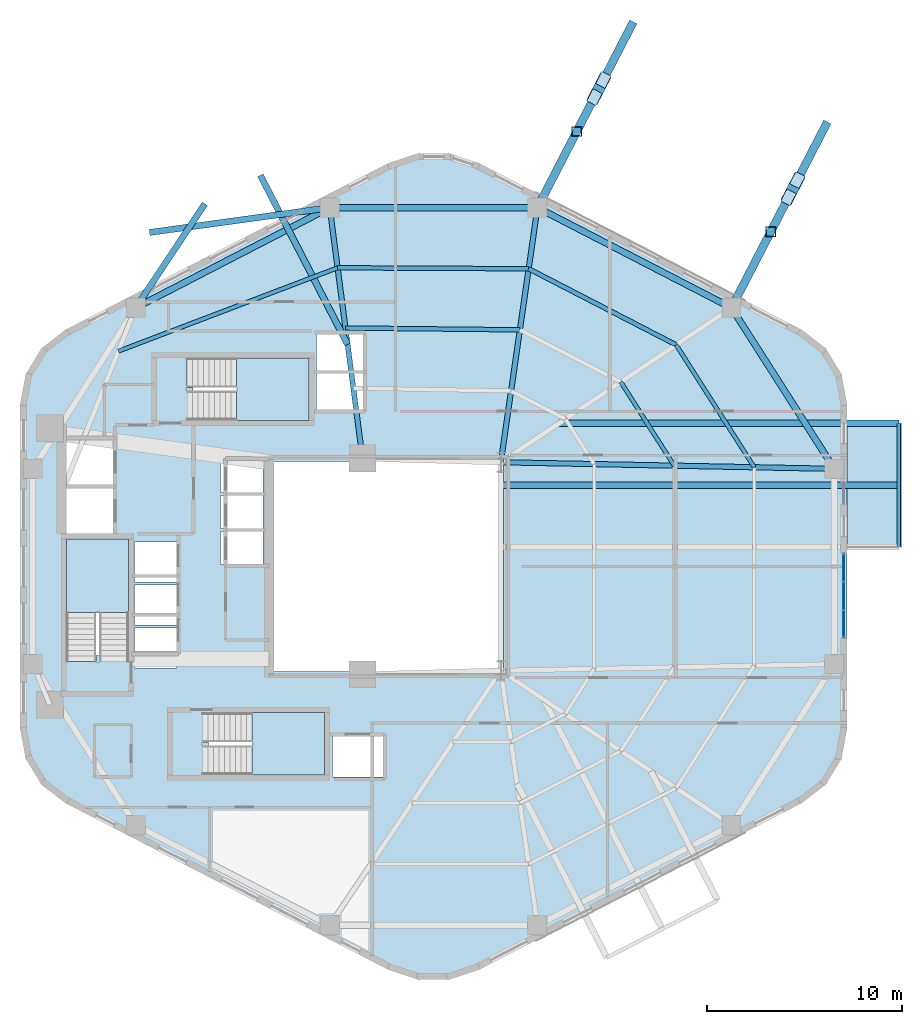
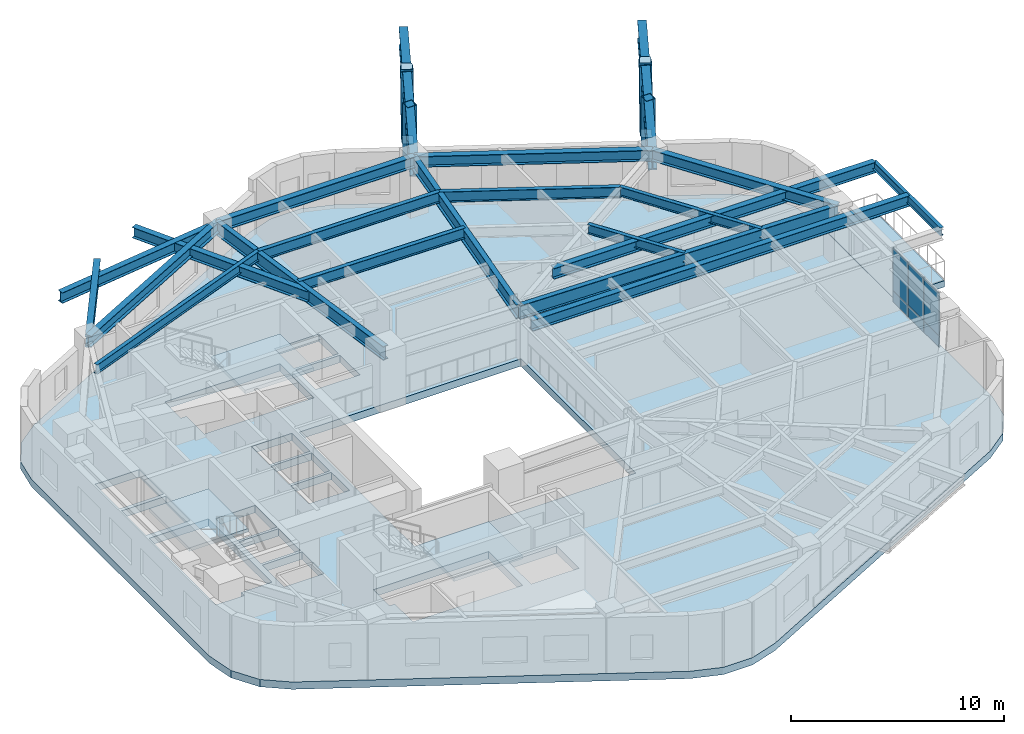
# One storey, part 3 of 9: 21 beams, 10 plates, 5 slabs, 4 members, 4 elements without a shape of their own.
"""IFC4 building model written with IfcOpenShell, lengths in metres."""

from ifc_helpers import new_model, si_unit, direction, frame, origin, origin_2d, place, context, subcontext, project, spatial, polyline, rectangle, hollow_rectangle, i_section, outline, extrude, material, layer, layer_set, material_profile, profile_set, type_object, element, aggregate, save


model = new_model("IFC4")

# Units and contexts
model_context = context("Model", 3, precision=1e-05, world=origin(), true_north=direction((0.0, 1.0)))
body_context = subcontext(model_context, "Body", "Model", "MODEL_VIEW")
ifc_project = project(units=[si_unit("LENGTHUNIT", "METRE"), si_unit("AREAUNIT", "SQUARE_METRE"), si_unit("VOLUMEUNIT", "CUBIC_METRE"), si_unit("PLANEANGLEUNIT", "RADIAN"), si_unit("MASSUNIT", "GRAM", prefix="KILO"), si_unit("THERMODYNAMICTEMPERATUREUNIT", "KELVIN"), si_unit("POWERUNIT", "WATT")], contexts=[model_context])

# Site, building, storey
site_placement = place(None, origin())
site = spatial("IfcSite", under=ifc_project, at=site_placement, CompositionType="ELEMENT")
building_placement = place(site_placement, origin())
building = spatial("IfcBuilding", under=site, at=building_placement, Name="Skarre Station Tower", CompositionType="ELEMENT")
storey_placement = place(building_placement, frame((0.0, 0.0, 101.550048828125)))
storey = spatial("IfcBuildingStorey", under=building, at=storey_placement, Name="L26", CompositionType="ELEMENT", Elevation=101.550048828125)

# Beams
ifc_material_1 = material(Name="Steel ASTM A992 Grade 50", Category="steel")
ifc_material_profile_1 = material_profile(ifc_material_1, i_section(OverallWidth=0.323974609375, OverallDepth=0.611083984375, WebThickness=0.012939453125, FlangeThickness=0.01904296875, at=origin_2d()), Name="Steel ASTM A992 Grade 50")
ifc_profile_set_1 = profile_set([ifc_material_profile_1], Name="Steel ASTM A992 Grade 50")
beam_type_1 = type_object("IfcBeamType", Name="Steel Beam W24X104", PredefinedType="BEAM", material=ifc_profile_set_1)
beam_1_placement = place(storey_placement, frame((39.449951171875, 28.176025390625, 2.780029296875), z_axis=(1.0, 0.0, 0.0), x_axis=(0.0, 1.0, 0.0)))
element("IfcBeam", 1, at=beam_1_placement, inside=storey, type_object=beam_type_1, Name="L26 SG-1-L27 Center Outrigger Beam", PredefinedType="BEAM", context=body_context, shape_type="SweptSolid", body=[
    extrude(i_section(OverallWidth=0.323974609375, OverallDepth=0.611083984375, WebThickness=0.012939453125, FlangeThickness=0.01904296875, at=origin_2d()), origin(), (0.0, 0.0, 1.0), 20.427978515625),
])
beam_2_placement = place(storey_placement, frame((42.43798828125, 31.35009765625, 2.780029296875), z_axis=(1.0, 0.0, 0.0), x_axis=(0.0, 1.0, 0.0)))
element("IfcBeam", 2, at=beam_2_placement, inside=storey, type_object=beam_type_1, Name="L26 SG-1-L27 Outrigger Beam 1", PredefinedType="BEAM", context=body_context, shape_type="SweptSolid", body=[
    extrude(i_section(OverallWidth=0.323974609375, OverallDepth=0.611083984375, WebThickness=0.012939453125, FlangeThickness=0.01904296875, at=origin_2d()), origin(), (0.0, 0.0, 1.0), 17.43994140625),
])
beam_3_placement = place(storey_placement, frame((20.708984375, 37.277099609375, 2.800048828125), z_axis=(0.554374893847, 0.83226707076, 0.0), x_axis=(-0.83226707076, 0.554374893847, 0.0)))
element("IfcBeam", 3, at=beam_3_placement, inside=storey, type_object=beam_type_1, Name="L26 TB-L27-F1 Center Outrigger Beam", PredefinedType="BEAM", context=body_context, shape_type="SweptSolid", body=[
    extrude(i_section(OverallWidth=0.323974609375, OverallDepth=0.611083984375, WebThickness=0.012939453125, FlangeThickness=0.01904296875, at=origin_2d()), origin(), (0.0, 0.0, 1.0), 6.408935546875),
])
beam_4_placement = place(storey_placement, frame((31.5859375, 35.39990234375, 2.800048828125), z_axis=(-0.458674754845, 0.888604225326, 0.0), x_axis=(-0.888604225326, -0.458674754845, 0.0)))
element("IfcBeam", 4, at=beam_4_placement, inside=storey, type_object=beam_type_1, Name="L26 TB-L27-F1 Outrigger Beam 1", PredefinedType="BEAM", context=body_context, shape_type="SweptSolid", body=[
    extrude(i_section(OverallWidth=0.323974609375, OverallDepth=0.611083984375, WebThickness=0.012939453125, FlangeThickness=0.01904296875, at=origin_2d()), origin(), (0.0, 0.0, 1.0), 9.767333984375),
])
beam_5_placement = place(storey_placement, frame((30.6689453125, 42.41796875, 2.800048828125), z_axis=(-0.990635036315, -0.13653653293, 0.0), x_axis=(0.13653653293, -0.990635036315, 0.0)))
element("IfcBeam", 5, at=beam_5_placement, inside=storey, type_object=beam_type_1, Name="L26 TB-L27-F1 Outrigger Beam 2", PredefinedType="BEAM", context=body_context, shape_type="SweptSolid", body=[
    extrude(i_section(OverallWidth=0.323974609375, OverallDepth=0.611083984375, WebThickness=0.012939453125, FlangeThickness=0.01904296875, at=origin_2d()), origin(), (0.0, 0.0, 1.0), 9.33740234375),
])
ifc_material_profile_2 = material_profile(ifc_material_1, i_section(OverallWidth=0.26806640625, OverallDepth=0.77001953125, WebThickness=0.01611328125, FlangeThickness=0.02490234375, at=origin_2d()), Name="Steel ASTM A992 Grade 50")
ifc_profile_set_2 = profile_set([ifc_material_profile_2], Name="Steel ASTM A992 Grade 50")
beam_type_2 = type_object("IfcBeamType", Name="Steel Beam W30X132", PredefinedType="BEAM", material=ifc_profile_set_2)
beam_6_placement = place(storey_placement, frame((39.449951171875, 29.35009765625, 2.804931640625), z_axis=(0.142480121776, 0.989797663616, 0.0), x_axis=(-0.989797663616, 0.142480121776, 0.0)))
element("IfcBeam", 6, at=beam_6_placement, inside=storey, type_object=beam_type_2, Name="L26 Radial Floor Girder F0C2", PredefinedType="BEAM", context=body_context, shape_type="SweptSolid", body=[
    extrude(i_section(OverallWidth=0.26806640625, OverallDepth=0.77001953125, WebThickness=0.01611328125, FlangeThickness=0.02490234375, at=origin_2d()), origin(), (0.0, 0.0, 1.0), 13.20263671875),
])
beam_7_placement = place(storey_placement, frame((32.35009765625, 29.550048828125, 2.804931640625), z_axis=(-0.129545878778, 0.991573429097, 0.0), x_axis=(-0.991573429097, -0.129545878778, 0.0)))
element("IfcBeam", 7, at=beam_7_placement, inside=storey, type_object=beam_type_2, Name="L26 Radial Floor Girder F1C1", PredefinedType="BEAM", context=body_context, shape_type="SweptSolid", body=[
    extrude(i_section(OverallWidth=0.26806640625, OverallDepth=0.77001953125, WebThickness=0.01611328125, FlangeThickness=0.02490234375, at=origin_2d()), origin(), (0.0, 0.0, 1.0), 12.977294921875),
])
beam_8_placement = place(storey_placement, frame((39.449951171875, 29.35009765625, 2.804931640625), z_axis=(0.999803839107, -0.019806143142, 0.0), x_axis=(0.019806143142, 0.999803839107, 0.0)))
element("IfcBeam", 8, at=beam_8_placement, inside=storey, type_object=beam_type_2, Name="L26 Radial Floor Girder F5C2", PredefinedType="BEAM", context=body_context, shape_type="SweptSolid", body=[
    extrude(i_section(OverallWidth=0.26806640625, OverallDepth=0.77001953125, WebThickness=0.01611328125, FlangeThickness=0.02490234375, at=origin_2d()), origin(), (0.0, 0.0, 1.0), 17.12158203125),
])
ifc_material_profile_3 = material_profile(ifc_material_1, i_section(OverallWidth=0.19091796875, OverallDepth=0.45703125, WebThickness=0.009033203125, FlangeThickness=0.013916015625, at=origin_2d()), Name="Steel ASTM A992 Grade 50")
ifc_profile_set_3 = profile_set([ifc_material_profile_3], Name="Steel ASTM A992 Grade 50")
beam_type_3 = type_object("IfcBeamType", Name="Steel Joist W18X50", PredefinedType="JOIST", material=ifc_profile_set_3)
beam_9_placement = place(storey_placement, frame((59.8779296875, 31.35009765625, 2.85693359375), z_axis=(0.0, -1.0, 0.0), x_axis=(1.0, 0.0, 0.0)))
element("IfcBeam", 9, at=beam_9_placement, inside=storey, type_object=beam_type_3, Name="L26 SG-1-L27 Rim Beam", PredefinedType="JOIST", context=body_context, shape_type="SweptSolid", body=[
    extrude(i_section(OverallWidth=0.19091796875, OverallDepth=0.45703125, WebThickness=0.009033203125, FlangeThickness=0.013916015625, at=origin_2d()), origin(), (0.0, 0.0, 1.0), 6.34814453125),
])
ifc_material_profile_4 = material_profile(ifc_material_1, i_section(OverallWidth=0.208984375, OverallDepth=0.532958984375, WebThickness=0.010009765625, FlangeThickness=0.01611328125, at=origin_2d()), Name="Steel ASTM A992 Grade 50")
ifc_profile_set_4 = profile_set([ifc_material_profile_4], Name="Steel ASTM A992 Grade 50")
beam_type_4 = type_object("IfcBeamType", Name="Steel Joist W21X62", PredefinedType="JOIST", material=ifc_profile_set_4)
beam_10_placement = place(storey_placement, frame((31.072021484375, 39.330078125, 2.924072265625), z_axis=(-0.934681982826, -0.355485008094, 0.0), x_axis=(0.355485008094, -0.934681982826, 0.0)))
element("IfcBeam", 10, at=beam_10_placement, inside=storey, type_object=beam_type_4, Name="L26 Auxiliary Composite Joist 9", PredefinedType="JOIST", context=body_context, shape_type="SweptSolid", body=[
    extrude(i_section(OverallWidth=0.208984375, OverallDepth=0.532958984375, WebThickness=0.010009765625, FlangeThickness=0.01611328125, at=origin_2d()), origin(), (0.0, 0.0, 1.0), 12.037109375),
])
beam_11_placement = place(storey_placement, frame((48.35107421875, 29.174072265625, 2.924072265625), z_axis=(-0.538151254938, 0.842848282201, 0.0), x_axis=(-0.842848282201, -0.538151254938, 0.0)))
element("IfcBeam", 11, at=beam_11_placement, inside=storey, type_object=beam_type_4, Name="L26 Auxiliary Composite Joist 23", PredefinedType="JOIST", context=body_context, shape_type="SweptSolid", body=[
    extrude(i_section(OverallWidth=0.208984375, OverallDepth=0.532958984375, WebThickness=0.010009765625, FlangeThickness=0.01611328125, at=origin_2d()), origin(), (0.0, 0.0, 1.0), 5.09912109375),
])
beam_12_placement = place(storey_placement, frame((52.4599609375, 29.092041015625, 2.924072265625), z_axis=(-0.53809140179, 0.842886494921, 0.0), x_axis=(-0.842886494921, -0.53809140179, 0.0)))
element("IfcBeam", 12, at=beam_12_placement, inside=storey, type_object=beam_type_4, Name="L26 Auxiliary Composite Joist 24", PredefinedType="JOIST", context=body_context, shape_type="SweptSolid", body=[
    extrude(i_section(OverallWidth=0.208984375, OverallDepth=0.532958984375, WebThickness=0.010009765625, FlangeThickness=0.01611328125, at=origin_2d()), origin(), (0.0, 0.0, 1.0), 7.4541015625),
])
ifc_material_profile_5 = material_profile(ifc_material_1, i_section(OverallWidth=0.22802734375, OverallDepth=0.60791015625, WebThickness=0.010986328125, FlangeThickness=0.01708984375, at=origin_2d()), Name="Steel ASTM A992 Grade 50")
ifc_profile_set_5 = profile_set([ifc_material_profile_5], Name="Steel ASTM A992 Grade 50")
beam_type_5 = type_object("IfcBeamType", Name="Steel Joist W24X76", PredefinedType="JOIST", material=ifc_profile_set_5)
beam_13_placement = place(storey_placement, frame((48.448974609375, 35.375, 2.885986328125), z_axis=(-0.888603699553, 0.45867577344, 0.0), x_axis=(-0.45867577344, -0.888603699553, 0.0)))
element("IfcBeam", 13, at=beam_13_placement, inside=storey, type_object=beam_type_5, Name="L26 Secondary Floor Joist 3", PredefinedType="JOIST", context=body_context, shape_type="SweptSolid", body=[
    extrude(i_section(OverallWidth=0.22802734375, OverallDepth=0.60791015625, WebThickness=0.010986328125, FlangeThickness=0.01708984375, at=origin_2d()), origin(), (0.0, 0.0, 1.0), 8.51806640625),
])
beam_14_placement = place(storey_placement, frame((40.427978515625, 36.14501953125, 2.885986328125), z_axis=(-0.999942566282, 0.010717468802, 0.0), x_axis=(-0.010717468802, -0.999942566282, 0.0)))
element("IfcBeam", 14, at=beam_14_placement, inside=storey, type_object=beam_type_5, Name="L26 Secondary Floor Joist 5", PredefinedType="JOIST", context=body_context, shape_type="SweptSolid", body=[
    extrude(i_section(OverallWidth=0.22802734375, OverallDepth=0.60791015625, WebThickness=0.010986328125, FlangeThickness=0.01708984375, at=origin_2d()), origin(), (0.0, 0.0, 1.0), 8.952392578125),
])
beam_15_placement = place(storey_placement, frame((40.8798828125, 39.281982421875, 2.885986328125), z_axis=(-0.999987976633, 0.004903732143, 0.0), x_axis=(-0.004903732143, -0.999987976633, 0.0)))
element("IfcBeam", 15, at=beam_15_placement, inside=storey, type_object=beam_type_5, Name="L26 Secondary Floor Joist 6", PredefinedType="JOIST", context=body_context, shape_type="SweptSolid", body=[
    extrude(i_section(OverallWidth=0.22802734375, OverallDepth=0.60791015625, WebThickness=0.010986328125, FlangeThickness=0.01708984375, at=origin_2d()), origin(), (0.0, 0.0, 1.0), 9.807861328125),
])
ifc_material_profile_6 = material_profile(ifc_material_1, i_section(OverallWidth=0.327880859375, OverallDepth=0.6279296875, WebThickness=0.01708984375, FlangeThickness=0.028076171875, at=origin_2d()), Name="Steel ASTM A992 Grade 50")
ifc_profile_set_6 = profile_set([ifc_material_profile_6], Name="Steel ASTM A992 Grade 50")
beam_type_6 = type_object("IfcBeamType", Name="Steel Spandrel W24X146", PredefinedType="SPANDREL", material=ifc_profile_set_6)
beam_16_placement = place(storey_placement, frame((51.291015625, 37.277099609375, 2.8759765625), z_axis=(-0.888611779493, 0.458660119639, 0.0), x_axis=(-0.458660119639, -0.888611779493, 0.0)))
element("IfcBeam", 16, at=beam_16_placement, inside=storey, type_object=beam_type_6, Name="L26 Facet Spandrel Beam 1", PredefinedType="SPANDREL", context=body_context, shape_type="SweptSolid", body=[
    extrude(i_section(OverallWidth=0.327880859375, OverallDepth=0.6279296875, WebThickness=0.01708984375, FlangeThickness=0.028076171875, at=origin_2d()), origin(), (0.0, 0.0, 1.0), 11.20849609375),
])
beam_17_placement = place(storey_placement, frame((41.3310546875, 42.41796875, 2.8759765625), z_axis=(-1.0, 0.0, 0.0), x_axis=(0.0, -1.0, 0.0)))
element("IfcBeam", 17, at=beam_17_placement, inside=storey, type_object=beam_type_6, Name="L26 Facet Spandrel Beam 2", PredefinedType="SPANDREL", context=body_context, shape_type="SweptSolid", body=[
    extrude(i_section(OverallWidth=0.327880859375, OverallDepth=0.6279296875, WebThickness=0.01708984375, FlangeThickness=0.028076171875, at=origin_2d()), origin(), (0.0, 0.0, 1.0), 10.662109375),
])
beam_18_placement = place(storey_placement, frame((30.6689453125, 42.41796875, 2.8759765625), z_axis=(-0.888611779493, -0.458660119639, 0.0), x_axis=(0.458660119639, -0.888611779493, 0.0)))
element("IfcBeam", 18, at=beam_18_placement, inside=storey, type_object=beam_type_6, Name="L26 Facet Spandrel Beam 3", PredefinedType="SPANDREL", context=body_context, shape_type="SweptSolid", body=[
    extrude(i_section(OverallWidth=0.327880859375, OverallDepth=0.6279296875, WebThickness=0.01708984375, FlangeThickness=0.028076171875, at=origin_2d()), origin(), (0.0, 0.0, 1.0), 11.20849609375),
])
beam_19_placement = place(storey_placement, frame((56.568115234375, 29.010986328125, 2.8759765625), z_axis=(-0.538097547923, 0.842882571251, 0.0), x_axis=(-0.842882571251, -0.538097547923, 0.0)))
element("IfcBeam", 19, at=beam_19_placement, inside=storey, type_object=beam_type_6, Name="L26 Facet Spandrel Beam 12", PredefinedType="SPANDREL", context=body_context, shape_type="SweptSolid", body=[
    extrude(i_section(OverallWidth=0.327880859375, OverallDepth=0.6279296875, WebThickness=0.01708984375, FlangeThickness=0.028076171875, at=origin_2d()), origin(), (0.0, 0.0, 1.0), 9.806884765625),
])
ifc_material_2 = material(Name="Steel ASTM A913 Grade 65", Category="steel")
ifc_material_profile_7 = material_profile(ifc_material_2, i_section(OverallWidth=0.424072265625, OverallDepth=1.092041015625, WebThickness=0.044921875, FlangeThickness=0.08203125, at=origin_2d()), Name="Steel ASTM A913 Grade 65")
ifc_profile_set_7 = profile_set([ifc_material_profile_7], Name="Steel ASTM A913 Grade 65")
beam_type_7 = type_object("IfcBeamType", Name="Steel Transfer Girder W40X593", PredefinedType="USERDEFINED", material=ifc_profile_set_7)
for number, where, z_axis, x_axis, name in (
    (20, (51.291015625, 37.277099609375, 2.48388671875), (0.458617417831, 0.888633818883, 0.0), (-0.888633818883, 0.458617417831, 0.0), "L26 SB-2 Exoskeleton Tier-2 Transfer Girder S1"),
    (21, (41.3310546875, 42.41796875, 2.48388671875), (0.458617417831, 0.888633818883, 0.0), (-0.888633818883, 0.458617417831, 0.0), "L26 SB-2 Exoskeleton Tier-2 Transfer Girder S2"),
):
    element("IfcBeam", number, at=place(storey_placement, frame(where, z_axis=z_axis, x_axis=x_axis)), inside=storey, type_object=beam_type_7, Name=name, ObjectType="TRANSFER_GIRDER", PredefinedType="USERDEFINED", context=body_context, shape_type="SweptSolid", body=[
        extrude(i_section(OverallWidth=0.424072265625, OverallDepth=1.092041015625, WebThickness=0.044921875, FlangeThickness=0.08203125, at=origin_2d()), origin(), (0.0, 0.0, 1.0), 10.729736328125),
    ])

# Members
ifc_material_3 = material(Name="Steel ASTM A501 Grade B", Category="steel")
ifc_material_profile_8 = material_profile(ifc_material_3, hollow_rectangle(XDim=0.5, YDim=0.5, WallThickness=0.02490234375, at=origin_2d()), Name="Steel ASTM A501 Grade B")
ifc_profile_set_8 = profile_set([ifc_material_profile_8], Name="Steel ASTM A501 Grade B")
member_type_1 = type_object("IfcMemberType", Name="Steel Truss Strut HSS500X500X25", PredefinedType="STRUT", material=ifc_profile_set_8)
for number, where, z_axis, x_axis, name in (
    (22, (53.30908203125, 41.18701171875, -0.43994140625), (0.0, 0.0, 1.0), (1.0, 0.0, 0.0), "L26 SB-2 Exoskeleton Post Tier 2 S1"),
    (23, (43.34912109375, 46.327880859375, -0.43994140625), (0.0, 0.0, 1.0), (1.0, 0.0, 0.0), "L26 SB-2 Exoskeleton Post Tier 2 S2"),
):
    element("IfcMember", number, at=place(storey_placement, frame(where, z_axis=z_axis, x_axis=x_axis)), inside=storey, type_object=member_type_1, Name=name, PredefinedType="STRUT", context=body_context, shape_type="SweptSolid", body=[
        extrude(hollow_rectangle(XDim=0.5, YDim=0.5, WallThickness=0.02490234375, at=origin_2d()), origin(), (0.0, 0.0, 1.0), 3.469970703125),
    ])
ifc_material_profile_9 = material_profile(ifc_material_3, hollow_rectangle(XDim=0.60009765625, YDim=0.60009765625, WallThickness=0.028076171875, at=origin_2d()), Name="Steel ASTM A501 Grade B")
ifc_profile_set_9 = profile_set([ifc_material_profile_9], Name="Steel ASTM A501 Grade B")
member_type_2 = type_object("IfcMemberType", Name="Steel Truss Strut HSS600X600X28", PredefinedType="STRUT", material=ifc_profile_set_9)
for number, where, z_axis, x_axis, name in (
    (24, (54.217041015625, 42.946044921875, -0.43994140625), (0.127096486621, 0.246148036057, 0.960862959757), (-0.888543643112, 0.458792103557, 0.0), "L26 SB-2 Exoskeleton Raking Strut Tier 2 S1"),
    (25, (44.257080078125, 48.0869140625, -0.43994140625), (0.127094371407, 0.246211542906, 0.960846968511), (-0.888594994089, 0.458692638354, 0.0), "L26 SB-2 Exoskeleton Raking Strut Tier 2 S2"),
):
    element("IfcMember", number, at=place(storey_placement, frame(where, z_axis=z_axis, x_axis=x_axis)), inside=storey, type_object=member_type_2, Name=name, PredefinedType="STRUT", context=body_context, shape_type="SweptSolid", body=[
        extrude(hollow_rectangle(XDim=0.60009765625, YDim=0.60009765625, WallThickness=0.028076171875, at=origin_2d()), origin(), (0.0, 0.0, 1.0), 3.611328125),
    ])

# Curtain wall, plates
ifc_material_4 = material(Name="Thermally Broken Bronze-Anodized Aluminium & Triple Low-E Glass", Category="aluminium")
ifc_layer_1 = layer(ifc_material_4, 0.18994140625, Name="Thermally Broken Bronze-Anodized Aluminium & Triple Low-E Glass")
ifc_layer_set_1 = layer_set([ifc_layer_1], Name="Thermally Broken Bronze-Anodized Aluminium & Triple Low-E Glass")
curtain_wall_type = type_object("IfcCurtainWallType", Name="Sky-Garden Setback Conservatory Curtain Wall", PredefinedType="NOTDEFINED", material=ifc_layer_set_1)
curtain_wall_placement = place(storey_placement, origin())
curtain_wall = element("IfcCurtainWall", 26, at=curtain_wall_placement, inside=storey, type_object=curtain_wall_type, Name="L26 Facet 5 Conservatory Curtain Wall", PredefinedType="NOTDEFINED")
ifc_material_5 = material(Name="Insulated Bronze Anodized Aluminium Spandrel", Category="aluminium")
ifc_layer_2 = layer(ifc_material_5, 0.052001953125, Name="Insulated Bronze Anodized Aluminium Spandrel")
ifc_layer_set_2 = layer_set([ifc_layer_2], Name="Insulated Bronze Anodized Aluminium Spandrel")
plate_type_1 = type_object("IfcPlateType", Name="Bronze Insulated Spandrel Sheet Panel 52", PredefinedType="SHEET", material=ifc_layer_set_2)
plate_1_placement = place(storey_placement, frame((57.048095703125, 23.944091796875, 0.0517578125), z_axis=(0.0, 0.0, 1.0), x_axis=(0.0, -1.0, 0.0)))
plate_1 = element("IfcPlate", 27, at=plate_1_placement, type_object=plate_type_1, Name="L26 Facet 5 Conservatory Curtain Wall Spandrel Panel 1-1", PredefinedType="SHEET", context=body_context, shape_type="SweptSolid", body=[
    extrude(rectangle(XDim=1.424072265625, YDim=0.052001953125, at=origin_2d()), origin(), (0.0, 0.0, 1.0), 0.635986328125),
])
plate_2_placement = place(storey_placement, frame((57.048095703125, 22.49609375, 0.0517578125), z_axis=(0.0, 0.0, 1.0), x_axis=(0.0, -1.0, 0.0)))
plate_2 = element("IfcPlate", 28, at=plate_2_placement, type_object=plate_type_1, Name="L26 Facet 5 Conservatory Curtain Wall Spandrel Panel 2-1", PredefinedType="SHEET", context=body_context, shape_type="SweptSolid", body=[
    extrude(rectangle(XDim=1.424072265625, YDim=0.052001953125, at=origin_2d()), origin(), (0.0, 0.0, 1.0), 0.635986328125),
])
plate_3_placement = place(storey_placement, frame((57.048095703125, 21.049072265625, 0.0517578125), z_axis=(0.0, 0.0, 1.0), x_axis=(0.0, -1.0, 0.0)))
plate_3 = element("IfcPlate", 29, at=plate_3_placement, type_object=plate_type_1, Name="L26 Facet 5 Conservatory Curtain Wall Spandrel Panel 3-1", PredefinedType="SHEET", context=body_context, shape_type="SweptSolid", body=[
    extrude(rectangle(XDim=1.424072265625, YDim=0.052001953125, at=origin_2d()), origin(), (0.0, 0.0, 1.0), 0.635986328125),
])

# Plates
ifc_material_6 = material(Name="Steel ASTM A572 Grade 50", Category="steel")
ifc_layer_3 = layer(ifc_material_6, 0.031982421875, Name="Steel ASTM A572 Grade 50")
ifc_layer_set_3 = layer_set([ifc_layer_3], Name="Steel ASTM A572 Grade 50")
plate_type_2 = type_object("IfcPlateType", Name="Exoskeleton Strut Cap Plate 700x540x32", PredefinedType="USERDEFINED", material=ifc_layer_set_3)
for number, where, z_axis, x_axis, name in (
    (30, (54.217041015625, 42.946044921875, -0.44580078125), (0.0, 0.0, 1.0), (0.458649554484, 0.888617232655, 0.0), "L26 SB-2 Exoskeleton Tier-2 Base Gusset S1"),
    (31, (54.676025390625, 43.8349609375, 3.00390625), (0.0, 0.0, 1.0), (0.458649554484, 0.888617232655, 0.0), "L26 SB-2 Exoskeleton Tier-2 Head Gusset S1"),
    (32, (44.257080078125, 48.0869140625, -0.44580078125), (0.0, 0.0, 1.0), (0.458649554484, 0.888617232655, 0.0), "L26 SB-2 Exoskeleton Tier-2 Base Gusset S2"),
    (33, (44.716064453125, 48.97607421875, 3.00390625), (0.0, 0.0, 1.0), (0.458649554484, 0.888617232655, 0.0), "L26 SB-2 Exoskeleton Tier-2 Head Gusset S2"),
):
    element("IfcPlate", number, at=place(storey_placement, frame(where, z_axis=z_axis, x_axis=x_axis)), inside=storey, type_object=plate_type_2, Name=name, ObjectType="STIFFENER_PLATE", PredefinedType="USERDEFINED", context=body_context, shape_type="SweptSolid", body=[
        extrude(rectangle(XDim=0.699951171875, YDim=0.5400390625, at=origin_2d()), origin(), (0.0, 0.0, 1.0), 0.031982421875),
    ])

# Stair, slab
ifc_material_7 = material(Name="Concrete C40/50", Category="concrete")
stair_type_1 = type_object("IfcStairType", Name="Reinforced Concrete Exit Stair ST-1", PredefinedType="HALF_TURN_STAIR", material=ifc_material_7)
stair_1_placement = place(storey_placement, origin())
stair_1 = element("IfcStair", 34, at=stair_1_placement, inside=storey, type_object=stair_type_1, Name="L26 Core Exit Stair ST-1", PredefinedType="HALF_TURN_STAIR")
ifc_layer_4 = layer(ifc_material_7, 0.219970703125, Name="Concrete C40/50")
ifc_layer_set_4 = layer_set([ifc_layer_4], Name="Concrete C40/50")
slab_type_1 = type_object("IfcSlabType", Name="Reinforced Concrete Stair & Ramp Landing 220", PredefinedType="LANDING", material=ifc_layer_set_4)
slab_1_placement = place(storey_placement, frame((0.0, 0.0, 1.52490234375)))
slab_1 = element("IfcSlab", 35, at=slab_1_placement, type_object=slab_type_1, Name="ST-1 landing 1", PredefinedType="LANDING", context=body_context, shape_type="SweptSolid", body=[
    extrude(outline(polyline([(20.35009765625, 21.639892578125), (20.35009765625, 25.39990234375), (17.14990234375, 25.39990234375), (17.14990234375, 21.639892578125), (20.35009765625, 21.639892578125)])), origin(), (0.0, 0.0, 1.0), 0.199951171875),
])
aggregate(stair_1, [slab_1])

stair_type_2 = type_object("IfcStairType", Name="Reinforced Concrete Exit Stair ST-2", PredefinedType="HALF_TURN_STAIR", material=ifc_material_7)
stair_2_placement = place(storey_placement, origin())
stair_2 = element("IfcStair", 36, at=stair_2_placement, inside=storey, type_object=stair_type_2, Name="L26 Core Exit Stair ST-2", PredefinedType="HALF_TURN_STAIR")
slab_2_placement = place(storey_placement, frame((0.0, 0.0, 1.52490234375)))
slab_2 = element("IfcSlab", 37, at=slab_2_placement, type_object=slab_type_1, Name="ST-2 landing 1", PredefinedType="LANDING", context=body_context, shape_type="SweptSolid", body=[
    extrude(outline(polyline([(26.669921875, 13.300048828125), (30.39990234375, 13.300048828125), (30.39990234375, 16.5), (26.669921875, 16.5), (26.669921875, 13.300048828125)])), origin(), (0.0, 0.0, 1.0), 0.199951171875),
])
aggregate(stair_2, [slab_2])

stair_type_3 = type_object("IfcStairType", Name="Reinforced Concrete Exit Stair ST-3", PredefinedType="HALF_TURN_STAIR", material=ifc_material_7)
stair_3_placement = place(storey_placement, origin())
stair_3 = element("IfcStair", 38, at=stair_3_placement, inside=storey, type_object=stair_type_3, Name="L26 Core Exit Stair ST-3", PredefinedType="HALF_TURN_STAIR")
slab_3_placement = place(storey_placement, frame((0.0, 0.0, 1.52490234375)))
slab_3 = element("IfcSlab", 39, at=slab_3_placement, type_object=slab_type_1, Name="ST-3 landing 1", PredefinedType="LANDING", context=body_context, shape_type="SweptSolid", body=[
    extrude(outline(polyline([(25.8701171875, 31.5), (29.60009765625, 31.5), (29.60009765625, 34.699951171875), (25.8701171875, 34.699951171875), (25.8701171875, 31.5)])), origin(), (0.0, 0.0, 1.0), 0.199951171875),
])
aggregate(stair_3, [slab_3])

# Slabs
ifc_material_8 = material(Name="Concrete C50/60", Category="concrete")
ifc_layer_5 = layer(ifc_material_8, 0.419921875, Name="Concrete C50/60")
ifc_layer_set_5 = layer_set([ifc_layer_5], Name="Concrete C50/60")
slab_type_2 = type_object("IfcSlabType", Name="Sky-Garden & Lookout Terrace Slab 360", PredefinedType="FLOOR", material=ifc_layer_set_5)
slab_4_placement = place(storey_placement, frame((0.0, 0.0, -0.360107421875)))
element("IfcSlab", 40, at=slab_4_placement, inside=storey, type_object=slab_type_2, Name="L26 SG-1 Planted Sky-Garden Terrace Slab", PredefinedType="FLOOR", context=body_context, shape_type="SweptSolid", body=[
    extrude(outline(polyline([(57.22802734375, 31.35009765625), (57.22802734375, 25.001953125), (60.01806640625, 25.001953125), (60.01806640625, 31.35009765625), (57.22802734375, 31.35009765625)])), origin(), (0.0, 0.0, 1.0), 0.360107421875),
])
ifc_layer_6 = layer(ifc_material_8, 0.419921875, Name="Concrete C50/60")
ifc_layer_set_6 = layer_set([ifc_layer_6], Name="Concrete C50/60")
slab_type_3 = type_object("IfcSlabType", Name="Transfer & Concourse Floor Slab 360", PredefinedType="FLOOR", material=ifc_layer_set_6)
slab_5_placement = place(storey_placement, frame((0.0, 0.0, -0.420166015625)))
element("IfcSlab", 41, at=slab_5_placement, inside=storey, type_object=slab_type_3, Name="L26 Zone 2 Structural Floor Slab", PredefinedType="FLOOR", context=body_context, shape_type="SweptSolid", body=[
    extrude(outline(polyline([(57.218017578125, 32.35205078125), (56.93701171875, 33.873046875), (56.132080078125, 35.194091796875), (54.908935546875, 36.14111328125), (38.30908203125, 44.708984375), (36.7958984375, 45.2060546875), (35.2041015625, 45.2060546875), (33.69091796875, 44.708984375), (17.091064453125, 36.14111328125), (15.867919921875, 35.194091796875), (15.06298828125, 33.873046875), (14.781982421875, 32.35205078125), (14.781982421875, 15.64794921875), (15.06298828125, 14.126953125), (15.867919921875, 12.805908203125), (17.091064453125, 11.85888671875), (33.69091796875, 3.291015625), (35.2041015625, 2.7939453125), (36.7958984375, 2.7939453125), (38.30908203125, 3.291015625), (54.908935546875, 11.85888671875), (56.132080078125, 12.805908203125), (56.93701171875, 14.126953125), (57.218017578125, 15.64794921875), (57.218017578125, 32.35205078125)]), holes=[polyline([(18.669921875, 19.419921875), (18.669921875, 19.123046875), (17.14990234375, 19.123046875), (17.14990234375, 25.39990234375), (20.35009765625, 25.39990234375), (20.35009765625, 19.419921875), (18.669921875, 19.419921875)]), polyline([(24.449951171875, 14.97998046875), (24.153076171875, 14.97998046875), (24.153076171875, 16.5), (30.39990234375, 16.5), (30.39990234375, 13.300048828125), (24.449951171875, 13.300048828125), (24.449951171875, 14.97998046875)]), polyline([(23.64990234375, 33.179931640625), (23.35302734375, 33.179931640625), (23.35302734375, 34.699951171875), (29.60009765625, 34.699951171875), (29.60009765625, 31.5), (23.64990234375, 31.5), (23.64990234375, 33.179931640625)]), polyline([(17.14990234375, 28.0), (19.550048828125, 28.0), (19.550048828125, 25.699951171875), (17.14990234375, 25.699951171875), (17.14990234375, 28.0)]), polyline([(17.14990234375, 30.5), (19.550048828125, 30.5), (19.550048828125, 28.199951171875), (17.14990234375, 28.199951171875), (17.14990234375, 30.5)]), polyline([(30.800048828125, 15.300048828125), (33.39990234375, 15.300048828125), (33.39990234375, 13.199951171875), (30.800048828125, 13.199951171875), (30.800048828125, 15.300048828125)]), polyline([(25.050048828125, 25.800048828125), (27.25, 25.800048828125), (27.25, 24.10009765625), (25.050048828125, 24.10009765625), (25.050048828125, 25.800048828125)]), polyline([(25.050048828125, 27.64990234375), (27.25, 27.64990234375), (27.25, 25.949951171875), (25.050048828125, 25.949951171875), (25.050048828125, 27.64990234375)]), polyline([(25.050048828125, 29.5), (27.25, 29.5), (27.25, 27.800048828125), (25.050048828125, 27.800048828125), (25.050048828125, 29.5)]), polyline([(20.64990234375, 20.85009765625), (22.800048828125, 20.85009765625), (22.800048828125, 18.800048828125), (20.64990234375, 18.800048828125), (20.64990234375, 20.85009765625)]), polyline([(20.64990234375, 23.050048828125), (22.800048828125, 23.050048828125), (22.800048828125, 21.0), (20.64990234375, 21.0), (20.64990234375, 23.050048828125)]), polyline([(20.64990234375, 25.25), (22.800048828125, 25.25), (22.800048828125, 23.199951171875), (20.64990234375, 23.199951171875), (20.64990234375, 25.25)]), polyline([(30.0, 33.89990234375), (32.39990234375, 33.89990234375), (32.39990234375, 32.050048828125), (30.0, 32.050048828125), (30.0, 33.89990234375)]), polyline([(30.0, 35.89990234375), (32.39990234375, 35.89990234375), (32.39990234375, 34.050048828125), (30.0, 34.050048828125), (30.0, 35.89990234375)]), polyline([(27.60009765625, 29.39990234375), (39.60009765625, 29.39990234375), (39.60009765625, 18.60009765625), (27.60009765625, 18.60009765625), (27.60009765625, 29.39990234375)])]), origin(), (0.0, 0.0, 1.0), 0.420166015625),
])

# Plate
ifc_material_9 = material(Name="Low-Iron Triple Insulating Glass Unit", Category="glass")
ifc_layer_7 = layer(ifc_material_9, 0.0439453125, Name="Low-Iron Triple Insulating Glass Unit")
ifc_layer_set_7 = layer_set([ifc_layer_7], Name="Low-Iron Triple Insulating Glass Unit")
plate_type_3 = type_object("IfcPlateType", Name="Triple-Glazed Vision Curtain Panel 44", PredefinedType="CURTAIN_PANEL", material=ifc_layer_set_7)
plate_4_placement = place(storey_placement, frame((57.048095703125, 23.944091796875, 0.7119140625), z_axis=(0.0, 0.0, 1.0), x_axis=(0.0, -1.0, 0.0)))
plate_4 = element("IfcPlate", 42, at=plate_4_placement, type_object=plate_type_3, Name="L26 Facet 5 Conservatory Curtain Wall Vision Panel 1-2", PredefinedType="CURTAIN_PANEL", context=body_context, shape_type="SweptSolid", body=[
    extrude(rectangle(XDim=1.424072265625, YDim=0.0439453125, at=origin_2d()), origin(), (0.0, 0.0, 1.0), 2.426025390625),
])

plate_5_placement = place(storey_placement, frame((57.048095703125, 22.49609375, 0.7119140625), z_axis=(0.0, 0.0, 1.0), x_axis=(0.0, -1.0, 0.0)))
plate_5 = element("IfcPlate", 43, at=plate_5_placement, type_object=plate_type_3, Name="L26 Facet 5 Conservatory Curtain Wall Vision Panel 2-2", PredefinedType="CURTAIN_PANEL", context=body_context, shape_type="SweptSolid", body=[
    extrude(rectangle(XDim=1.424072265625, YDim=0.0439453125, at=origin_2d()), origin(), (0.0, 0.0, 1.0), 2.426025390625),
])

plate_6_placement = place(storey_placement, frame((57.048095703125, 21.049072265625, 0.7119140625), z_axis=(0.0, 0.0, 1.0), x_axis=(0.0, -1.0, 0.0)))
plate_6 = element("IfcPlate", 44, at=plate_6_placement, type_object=plate_type_3, Name="L26 Facet 5 Conservatory Curtain Wall Vision Panel 3-2", PredefinedType="CURTAIN_PANEL", context=body_context, shape_type="SweptSolid", body=[
    extrude(rectangle(XDim=1.424072265625, YDim=0.0439453125, at=origin_2d()), origin(), (0.0, 0.0, 1.0), 2.426025390625),
])

aggregate(curtain_wall, [plate_1, plate_4, plate_2, plate_5, plate_3, plate_6])

save(model, "model.ifc")
